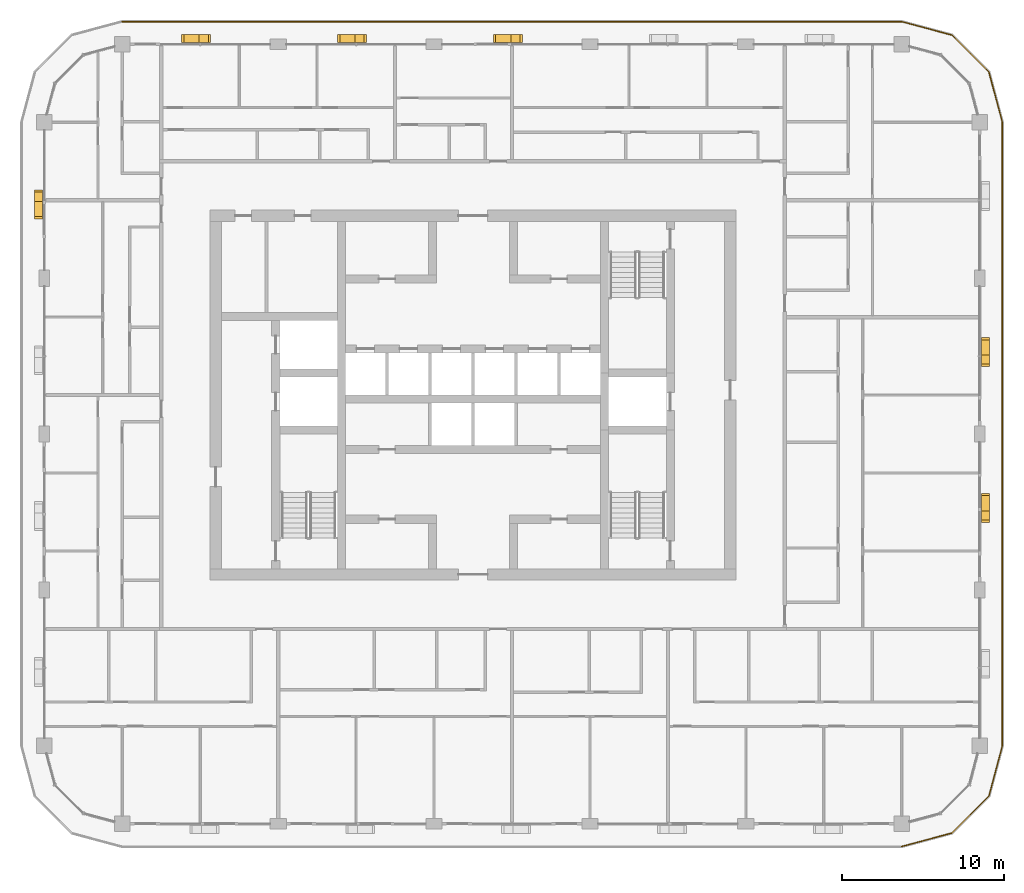
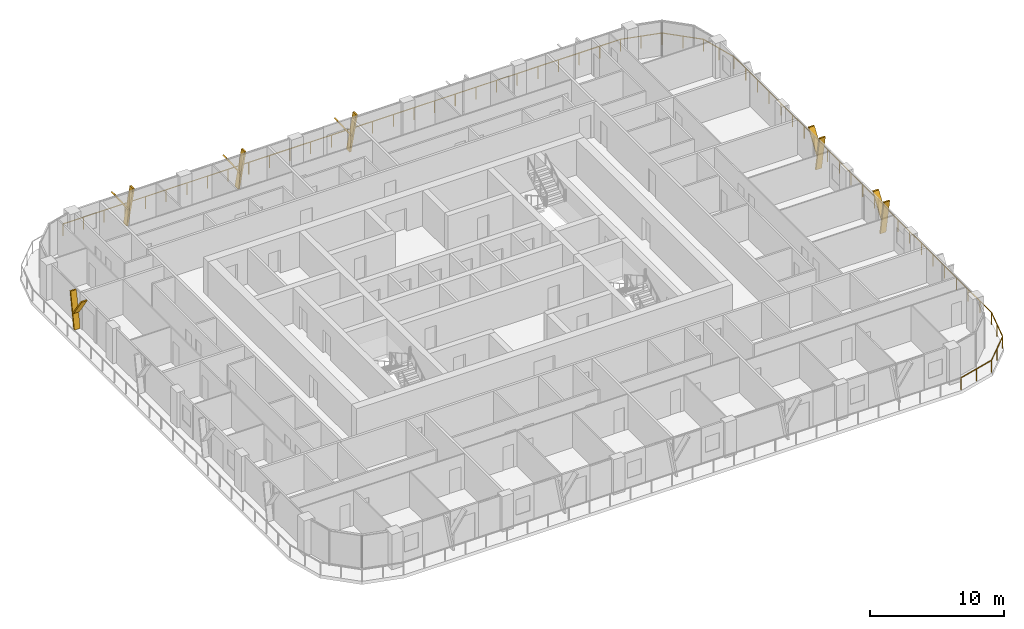
# One storey, part 20 of 21: 12 shading devices, 1 railing.
"""IFC4 building model written with IfcOpenShell, lengths in metres."""

from ifc_helpers import new_model, si_unit, direction, frame, origin, origin_2d, place, context, subcontext, project, spatial, polyline, circle, outline, extrude, material, type_object, element, save


model = new_model("IFC4")

# Units and contexts
model_context = context("Model", 3, precision=1e-05, world=origin(), true_north=direction((0.0, 1.0)))
body_context = subcontext(model_context, "Body", "Model", "MODEL_VIEW")
ifc_project = project(units=[si_unit("LENGTHUNIT", "METRE"), si_unit("AREAUNIT", "SQUARE_METRE"), si_unit("VOLUMEUNIT", "CUBIC_METRE"), si_unit("PLANEANGLEUNIT", "RADIAN"), si_unit("MASSUNIT", "GRAM", prefix="KILO")], contexts=[model_context])

# Site, building, storey
site_placement = place(None, origin())
site = spatial("IfcSite", under=ifc_project, at=site_placement, CompositionType="ELEMENT")
building_placement = place(site_placement, origin())
building = spatial("IfcBuilding", under=site, at=building_placement, Name="Madar Terraces", CompositionType="ELEMENT")
storey_placement = place(building_placement, frame((0.0, 0.0, 185.89990234375)))
storey = spatial("IfcBuildingStorey", under=building, at=storey_placement, Name="L48", CompositionType="ELEMENT", Elevation=185.89990234375)

# Railing
ifc_material_1 = material(Name="Glass, safety glazing, with stainless steel posts", Category="steel")
railing_type = type_object("IfcRailingType", Name="Balcony glass guard 1100", PredefinedType="GUARDRAIL", material=ifc_material_1)
railing_placement = place(storey_placement, frame((57.60009765625, -1.39990234375, 0.0)))
element("IfcRailing", 1, at=railing_placement, inside=storey, type_object=railing_type, Name="Balcony guard", PredefinedType="GUARDRAIL", context=body_context, shape_type="SweptSolid", body=[
    extrude(circle(Radius=0.02392578125, at=origin_2d()), frame((0.0, 0.0, 1.076171875), z_axis=(0.965928696102, 0.258808334578, 0.0), x_axis=(-0.258808334578, 0.965928696102, 0.0)), (0.0, 0.0, 1.0), 3.209228515625),
    extrude(circle(Radius=0.02392578125, at=origin_2d()), frame((3.099853515625, 0.83056640625, 1.076171875), z_axis=(0.707144815061, 0.707068745266, 0.0), x_axis=(-0.707068745266, 0.707144815061, 0.0)), (0.0, 0.0, 1.0), 3.20947265625),
    extrude(circle(Radius=0.02392578125, at=origin_2d()), frame((5.369384765625, 3.099853515625, 1.076171875), z_axis=(0.258789317819, 0.9659337912, 0.0), x_axis=(-0.9659337912, 0.258789317819, 0.0)), (0.0, 0.0, 1.0), 3.20947265625),
    extrude(circle(Radius=0.02392578125, at=origin_2d()), frame((6.199951171875, 6.199951171875, 1.076171875), z_axis=(0.0, 1.0, 0.0), x_axis=(-1.0, 0.0, 0.0)), (0.0, 0.0, 1.0), 38.39990234375),
    extrude(circle(Radius=0.02392578125, at=origin_2d()), frame((6.199951171875, 44.599853515625, 1.076171875), z_axis=(-0.258789317819, 0.9659337912, 0.0), x_axis=(-0.9659337912, -0.258789317819, 0.0)), (0.0, 0.0, 1.0), 3.20947265625),
    extrude(circle(Radius=0.02392578125, at=origin_2d()), frame((5.369384765625, 47.699951171875, 1.076171875), z_axis=(-0.707144815061, 0.707068745266, 0.0), x_axis=(-0.707068745266, -0.707144815061, 0.0)), (0.0, 0.0, 1.0), 3.20947265625),
    extrude(circle(Radius=0.02392578125, at=origin_2d()), frame((3.099853515625, 49.96923828125, 1.076171875), z_axis=(-0.965928696102, 0.258808334578, 0.0), x_axis=(-0.258808334578, -0.965928696102, 0.0)), (0.0, 0.0, 1.0), 3.209228515625),
    extrude(circle(Radius=0.02392578125, at=origin_2d()), frame((0.0, 50.7998046875, 1.076171875), z_axis=(-1.0, 0.0, 0.0), x_axis=(0.0, -1.0, 0.0)), (0.0, 0.0, 1.0), 48.0),
    extrude(circle(Radius=0.02099609375, at=origin_2d()), origin(), (0.0, 0.0, 1.0), 1.052001953125),
    extrude(circle(Radius=0.02099609375, at=origin_2d()), frame((1.5498046875, 0.415283203125, 0.0)), (0.0, 0.0, 1.0), 1.052001953125),
    extrude(circle(Radius=0.02099609375, at=origin_2d()), frame((3.099853515625, 0.83056640625, 0.0)), (0.0, 0.0, 1.0), 1.052001953125),
    extrude(circle(Radius=0.02099609375, at=origin_2d()), frame((4.234619140625, 1.96533203125, 0.0)), (0.0, 0.0, 1.0), 1.052001953125),
    extrude(circle(Radius=0.02099609375, at=origin_2d()), frame((5.369384765625, 3.099853515625, 0.0)), (0.0, 0.0, 1.0), 1.052001953125),
    extrude(circle(Radius=0.02099609375, at=origin_2d()), frame((5.78466796875, 4.64990234375, 0.0)), (0.0, 0.0, 1.0), 1.052001953125),
    extrude(circle(Radius=0.02099609375, at=origin_2d()), frame((6.199951171875, 6.199951171875, 0.0)), (0.0, 0.0, 1.0), 1.052001953125),
    extrude(circle(Radius=0.02099609375, at=origin_2d()), frame((6.199951171875, 7.9453125, 0.0)), (0.0, 0.0, 1.0), 1.052001953125),
    extrude(circle(Radius=0.02099609375, at=origin_2d()), frame((6.199951171875, 9.69091796875, 0.0)), (0.0, 0.0, 1.0), 1.052001953125),
    extrude(circle(Radius=0.02099609375, at=origin_2d()), frame((6.199951171875, 11.436279296875, 0.0)), (0.0, 0.0, 1.0), 1.052001953125),
    extrude(circle(Radius=0.02099609375, at=origin_2d()), frame((6.199951171875, 13.181640625, 0.0)), (0.0, 0.0, 1.0), 1.052001953125),
    extrude(circle(Radius=0.02099609375, at=origin_2d()), frame((6.199951171875, 14.92724609375, 0.0)), (0.0, 0.0, 1.0), 1.052001953125),
    extrude(circle(Radius=0.02099609375, at=origin_2d()), frame((6.199951171875, 16.672607421875, 0.0)), (0.0, 0.0, 1.0), 1.052001953125),
    extrude(circle(Radius=0.02099609375, at=origin_2d()), frame((6.199951171875, 18.418212890625, 0.0)), (0.0, 0.0, 1.0), 1.052001953125),
    extrude(circle(Radius=0.02099609375, at=origin_2d()), frame((6.199951171875, 20.16357421875, 0.0)), (0.0, 0.0, 1.0), 1.052001953125),
    extrude(circle(Radius=0.02099609375, at=origin_2d()), frame((6.199951171875, 21.908935546875, 0.0)), (0.0, 0.0, 1.0), 1.052001953125),
    extrude(circle(Radius=0.02099609375, at=origin_2d()), frame((6.199951171875, 23.654541015625, 0.0)), (0.0, 0.0, 1.0), 1.052001953125),
    extrude(circle(Radius=0.02099609375, at=origin_2d()), frame((6.199951171875, 25.39990234375, 0.0)), (0.0, 0.0, 1.0), 1.052001953125),
    extrude(circle(Radius=0.02099609375, at=origin_2d()), frame((6.199951171875, 27.145263671875, 0.0)), (0.0, 0.0, 1.0), 1.052001953125),
    extrude(circle(Radius=0.02099609375, at=origin_2d()), frame((6.199951171875, 28.890869140625, 0.0)), (0.0, 0.0, 1.0), 1.052001953125),
    extrude(circle(Radius=0.02099609375, at=origin_2d()), frame((6.199951171875, 30.63623046875, 0.0)), (0.0, 0.0, 1.0), 1.052001953125),
    extrude(circle(Radius=0.02099609375, at=origin_2d()), frame((6.199951171875, 32.381591796875, 0.0)), (0.0, 0.0, 1.0), 1.052001953125),
    extrude(circle(Radius=0.02099609375, at=origin_2d()), frame((6.199951171875, 34.127197265625, 0.0)), (0.0, 0.0, 1.0), 1.052001953125),
    extrude(circle(Radius=0.02099609375, at=origin_2d()), frame((6.199951171875, 35.87255859375, 0.0)), (0.0, 0.0, 1.0), 1.052001953125),
    extrude(circle(Radius=0.02099609375, at=origin_2d()), frame((6.199951171875, 37.6181640625, 0.0)), (0.0, 0.0, 1.0), 1.052001953125),
    extrude(circle(Radius=0.02099609375, at=origin_2d()), frame((6.199951171875, 39.363525390625, 0.0)), (0.0, 0.0, 1.0), 1.052001953125),
    extrude(circle(Radius=0.02099609375, at=origin_2d()), frame((6.199951171875, 41.10888671875, 0.0)), (0.0, 0.0, 1.0), 1.052001953125),
    extrude(circle(Radius=0.02099609375, at=origin_2d()), frame((6.199951171875, 42.8544921875, 0.0)), (0.0, 0.0, 1.0), 1.052001953125),
    extrude(circle(Radius=0.02099609375, at=origin_2d()), frame((6.199951171875, 44.599853515625, 0.0)), (0.0, 0.0, 1.0), 1.052001953125),
    extrude(circle(Radius=0.02099609375, at=origin_2d()), frame((5.78466796875, 46.14990234375, 0.0)), (0.0, 0.0, 1.0), 1.052001953125),
    extrude(circle(Radius=0.02099609375, at=origin_2d()), frame((5.369384765625, 47.699951171875, 0.0)), (0.0, 0.0, 1.0), 1.052001953125),
    extrude(circle(Radius=0.02099609375, at=origin_2d()), frame((4.234619140625, 48.83447265625, 0.0)), (0.0, 0.0, 1.0), 1.052001953125),
    extrude(circle(Radius=0.02099609375, at=origin_2d()), frame((3.099853515625, 49.96923828125, 0.0)), (0.0, 0.0, 1.0), 1.052001953125),
    extrude(circle(Radius=0.02099609375, at=origin_2d()), frame((1.5498046875, 50.384521484375, 0.0)), (0.0, 0.0, 1.0), 1.052001953125),
    extrude(circle(Radius=0.02099609375, at=origin_2d()), frame((0.0, 50.7998046875, 0.0)), (0.0, 0.0, 1.0), 1.052001953125),
    extrude(circle(Radius=0.02099609375, at=origin_2d()), frame((-1.77783203125, 50.7998046875, 0.0)), (0.0, 0.0, 1.0), 1.052001953125),
    extrude(circle(Radius=0.02099609375, at=origin_2d()), frame((-3.5556640625, 50.7998046875, 0.0)), (0.0, 0.0, 1.0), 1.052001953125),
    extrude(circle(Radius=0.02099609375, at=origin_2d()), frame((-5.333251953125, 50.7998046875, 0.0)), (0.0, 0.0, 1.0), 1.052001953125),
    extrude(circle(Radius=0.02099609375, at=origin_2d()), frame((-7.111083984375, 50.7998046875, 0.0)), (0.0, 0.0, 1.0), 1.052001953125),
    extrude(circle(Radius=0.02099609375, at=origin_2d()), frame((-8.888916015625, 50.7998046875, 0.0)), (0.0, 0.0, 1.0), 1.052001953125),
    extrude(circle(Radius=0.02099609375, at=origin_2d()), frame((-10.666748046875, 50.7998046875, 0.0)), (0.0, 0.0, 1.0), 1.052001953125),
    extrude(circle(Radius=0.02099609375, at=origin_2d()), frame((-12.4443359375, 50.7998046875, 0.0)), (0.0, 0.0, 1.0), 1.052001953125),
    extrude(circle(Radius=0.02099609375, at=origin_2d()), frame((-14.22216796875, 50.7998046875, 0.0)), (0.0, 0.0, 1.0), 1.052001953125),
    extrude(circle(Radius=0.02099609375, at=origin_2d()), frame((-16.0, 50.7998046875, 0.0)), (0.0, 0.0, 1.0), 1.052001953125),
    extrude(circle(Radius=0.02099609375, at=origin_2d()), frame((-17.77783203125, 50.7998046875, 0.0)), (0.0, 0.0, 1.0), 1.052001953125),
    extrude(circle(Radius=0.02099609375, at=origin_2d()), frame((-19.5556640625, 50.7998046875, 0.0)), (0.0, 0.0, 1.0), 1.052001953125),
    extrude(circle(Radius=0.02099609375, at=origin_2d()), frame((-21.333251953125, 50.7998046875, 0.0)), (0.0, 0.0, 1.0), 1.052001953125),
    extrude(circle(Radius=0.02099609375, at=origin_2d()), frame((-23.111083984375, 50.7998046875, 0.0)), (0.0, 0.0, 1.0), 1.052001953125),
    extrude(circle(Radius=0.02099609375, at=origin_2d()), frame((-24.888916015625, 50.7998046875, 0.0)), (0.0, 0.0, 1.0), 1.052001953125),
    extrude(circle(Radius=0.02099609375, at=origin_2d()), frame((-26.666748046875, 50.7998046875, 0.0)), (0.0, 0.0, 1.0), 1.052001953125),
    extrude(circle(Radius=0.02099609375, at=origin_2d()), frame((-28.4443359375, 50.7998046875, 0.0)), (0.0, 0.0, 1.0), 1.052001953125),
    extrude(circle(Radius=0.02099609375, at=origin_2d()), frame((-30.22216796875, 50.7998046875, 0.0)), (0.0, 0.0, 1.0), 1.052001953125),
    extrude(circle(Radius=0.02099609375, at=origin_2d()), frame((-32.0, 50.7998046875, 0.0)), (0.0, 0.0, 1.0), 1.052001953125),
    extrude(circle(Radius=0.02099609375, at=origin_2d()), frame((-33.77783203125, 50.7998046875, 0.0)), (0.0, 0.0, 1.0), 1.052001953125),
    extrude(circle(Radius=0.02099609375, at=origin_2d()), frame((-35.5556640625, 50.7998046875, 0.0)), (0.0, 0.0, 1.0), 1.052001953125),
    extrude(circle(Radius=0.02099609375, at=origin_2d()), frame((-37.333251953125, 50.7998046875, 0.0)), (0.0, 0.0, 1.0), 1.052001953125),
    extrude(circle(Radius=0.02099609375, at=origin_2d()), frame((-39.111083984375, 50.7998046875, 0.0)), (0.0, 0.0, 1.0), 1.052001953125),
    extrude(circle(Radius=0.02099609375, at=origin_2d()), frame((-40.888916015625, 50.7998046875, 0.0)), (0.0, 0.0, 1.0), 1.052001953125),
    extrude(circle(Radius=0.02099609375, at=origin_2d()), frame((-42.666748046875, 50.7998046875, 0.0)), (0.0, 0.0, 1.0), 1.052001953125),
    extrude(circle(Radius=0.02099609375, at=origin_2d()), frame((-44.4443359375, 50.7998046875, 0.0)), (0.0, 0.0, 1.0), 1.052001953125),
    extrude(circle(Radius=0.02099609375, at=origin_2d()), frame((-46.22216796875, 50.7998046875, 0.0)), (0.0, 0.0, 1.0), 1.052001953125),
    extrude(circle(Radius=0.02099609375, at=origin_2d()), frame((-48.0, 50.7998046875, 0.0)), (0.0, 0.0, 1.0), 1.052001953125),
])

# Shading devices
ifc_material_2 = material(Name="Aluminium, black anodised", Category="aluminium")
shading_device_type = type_object("IfcShadingDeviceType", Name="Facade fin blade 140 x 500", PredefinedType="USERDEFINED", material=ifc_material_2)
shading_device_1_placement = place(storey_placement, frame((62.75, 19.1298828125, 0.0), z_axis=(0.0, 0.0, 1.0), x_axis=(0.0, 1.0, 0.0)))
element("IfcShadingDevice", 2, at=shading_device_1_placement, inside=storey, type_object=shading_device_type, Name="FIN L48 E2", ObjectType="FIN", PredefinedType="USERDEFINED", context=body_context, shape_type="SweptSolid", body=[
    extrude(outline(polyline([(0.0, 0.0), (0.14013671875, 0.0), (-0.42431640625, 3.2001953125), (-0.564208984375, 3.2001953125), (0.0, 0.0)])), frame((0.0, 0.25, 0.0), z_axis=(0.0, -1.0, 0.0), x_axis=(1.0, 0.0, 0.0)), (0.0, 0.0, 1.0), 0.5),
])
shading_device_2_placement = place(storey_placement, frame((62.75, 19.01611328125, 1.440185546875), z_axis=(0.0, 0.0, 1.0), x_axis=(0.0, 1.0, 0.0)))
element("IfcShadingDevice", 3, at=shading_device_2_placement, inside=storey, type_object=shading_device_type, Name="FIN L48 E2 branch", ObjectType="FIN", PredefinedType="USERDEFINED", context=body_context, shape_type="SweptSolid", body=[
    extrude(outline(polyline([(0.0, 0.0), (0.139892578125, 0.0), (1.32958984375, 1.760009765625), (1.189697265625, 1.760009765625), (0.0, 0.0)])), frame((0.0, 0.25, 0.0), z_axis=(0.0, -1.0, 0.0), x_axis=(1.0, 0.0, 0.0)), (0.0, 0.0, 1.0), 0.5),
])
shading_device_3_placement = place(storey_placement, frame((62.75, 28.72998046875, 0.0), z_axis=(0.0, 0.0, 1.0), x_axis=(0.0, 1.0, 0.0)))
element("IfcShadingDevice", 4, at=shading_device_3_placement, inside=storey, type_object=shading_device_type, Name="FIN L48 E3", ObjectType="FIN", PredefinedType="USERDEFINED", context=body_context, shape_type="SweptSolid", body=[
    extrude(outline(polyline([(0.0, 0.0), (0.14013671875, 0.0), (-0.42431640625, 3.2001953125), (-0.564208984375, 3.2001953125), (0.0, 0.0)])), frame((0.0, 0.25, 0.0), z_axis=(0.0, -1.0, 0.0), x_axis=(1.0, 0.0, 0.0)), (0.0, 0.0, 1.0), 0.5),
])
shading_device_4_placement = place(storey_placement, frame((62.75, 28.6162109375, 1.440185546875), z_axis=(0.0, 0.0, 1.0), x_axis=(0.0, 1.0, 0.0)))
element("IfcShadingDevice", 5, at=shading_device_4_placement, inside=storey, type_object=shading_device_type, Name="FIN L48 E3 branch", ObjectType="FIN", PredefinedType="USERDEFINED", context=body_context, shape_type="SweptSolid", body=[
    extrude(outline(polyline([(0.0, 0.0), (0.139892578125, 0.0), (1.32958984375, 1.760009765625), (1.189697265625, 1.760009765625), (0.0, 0.0)])), frame((0.0, 0.25, 0.0), z_axis=(0.0, -1.0, 0.0), x_axis=(1.0, 0.0, 0.0)), (0.0, 0.0, 1.0), 0.5),
])
shading_device_5_placement = place(storey_placement, frame((33.669921875, 48.35009765625, 0.0), z_axis=(0.0, 0.0, 1.0), x_axis=(-1.0, 0.0, 0.0)))
element("IfcShadingDevice", 6, at=shading_device_5_placement, inside=storey, type_object=shading_device_type, Name="FIN L48 N3", ObjectType="FIN", PredefinedType="USERDEFINED", context=body_context, shape_type="SweptSolid", body=[
    extrude(outline(polyline([(0.0, 0.0), (0.139892578125, 0.0), (-0.42431640625, 3.2001953125), (-0.564208984375, 3.2001953125), (0.0, 0.0)])), frame((0.0, 0.25, 0.0), z_axis=(0.0, -1.0, 0.0), x_axis=(1.0, 0.0, 0.0)), (0.0, 0.0, 1.0), 0.5),
])
shading_device_6_placement = place(storey_placement, frame((33.783935546875, 48.35009765625, 1.440185546875), z_axis=(0.0, 0.0, 1.0), x_axis=(-1.0, 0.0, 0.0)))
element("IfcShadingDevice", 7, at=shading_device_6_placement, inside=storey, type_object=shading_device_type, Name="FIN L48 N3 branch", ObjectType="FIN", PredefinedType="USERDEFINED", context=body_context, shape_type="SweptSolid", body=[
    extrude(outline(polyline([(0.0, 0.0), (0.14013671875, 0.0), (1.32958984375, 1.760009765625), (1.189697265625, 1.760009765625), (0.0, 0.0)])), frame((0.0, 0.25, 0.0), z_axis=(0.0, -1.0, 0.0), x_axis=(1.0, 0.0, 0.0)), (0.0, 0.0, 1.0), 0.5),
])
shading_device_7_placement = place(storey_placement, frame((24.070068359375, 48.35009765625, 0.0), z_axis=(0.0, 0.0, 1.0), x_axis=(-1.0, 0.0, 0.0)))
element("IfcShadingDevice", 8, at=shading_device_7_placement, inside=storey, type_object=shading_device_type, Name="FIN L48 N4", ObjectType="FIN", PredefinedType="USERDEFINED", context=body_context, shape_type="SweptSolid", body=[
    extrude(outline(polyline([(0.0, 0.0), (0.14013671875, 0.0), (-0.42431640625, 3.2001953125), (-0.564208984375, 3.2001953125), (0.0, 0.0)])), frame((0.0, 0.25, 0.0), z_axis=(0.0, -1.0, 0.0), x_axis=(1.0, 0.0, 0.0)), (0.0, 0.0, 1.0), 0.5),
])
shading_device_8_placement = place(storey_placement, frame((24.183837890625, 48.35009765625, 1.440185546875), z_axis=(0.0, 0.0, 1.0), x_axis=(-1.0, 0.0, 0.0)))
element("IfcShadingDevice", 9, at=shading_device_8_placement, inside=storey, type_object=shading_device_type, Name="FIN L48 N4 branch", ObjectType="FIN", PredefinedType="USERDEFINED", context=body_context, shape_type="SweptSolid", body=[
    extrude(outline(polyline([(0.0, 0.0), (0.139892578125, 0.0), (1.32958984375, 1.760009765625), (1.189697265625, 1.760009765625), (0.0, 0.0)])), frame((0.0, 0.25, 0.0), z_axis=(0.0, -1.0, 0.0), x_axis=(1.0, 0.0, 0.0)), (0.0, 0.0, 1.0), 0.5),
])
shading_device_9_placement = place(storey_placement, frame((14.469970703125, 48.35009765625, 0.0), z_axis=(0.0, 0.0, 1.0), x_axis=(-1.0, 0.0, 0.0)))
element("IfcShadingDevice", 10, at=shading_device_9_placement, inside=storey, type_object=shading_device_type, Name="FIN L48 N5", ObjectType="FIN", PredefinedType="USERDEFINED", context=body_context, shape_type="SweptSolid", body=[
    extrude(outline(polyline([(0.0, 0.0), (0.139892578125, 0.0), (-0.42431640625, 3.2001953125), (-0.564208984375, 3.2001953125), (0.0, 0.0)])), frame((0.0, 0.25, 0.0), z_axis=(0.0, -1.0, 0.0), x_axis=(1.0, 0.0, 0.0)), (0.0, 0.0, 1.0), 0.5),
])
shading_device_10_placement = place(storey_placement, frame((14.583984375, 48.35009765625, 1.440185546875), z_axis=(0.0, 0.0, 1.0), x_axis=(-1.0, 0.0, 0.0)))
element("IfcShadingDevice", 11, at=shading_device_10_placement, inside=storey, type_object=shading_device_type, Name="FIN L48 N5 branch", ObjectType="FIN", PredefinedType="USERDEFINED", context=body_context, shape_type="SweptSolid", body=[
    extrude(outline(polyline([(0.0, 0.0), (0.14013671875, 0.0), (1.32958984375, 1.760009765625), (1.189697265625, 1.760009765625), (0.0, 0.0)])), frame((0.0, 0.25, 0.0), z_axis=(0.0, -1.0, 0.0), x_axis=(1.0, 0.0, 0.0)), (0.0, 0.0, 1.0), 0.5),
])
shading_device_11_placement = place(storey_placement, frame((4.449951171875, 38.469970703125, 0.0), z_axis=(0.0, 0.0, 1.0), x_axis=(0.0, -1.0, 0.0)))
element("IfcShadingDevice", 12, at=shading_device_11_placement, inside=storey, type_object=shading_device_type, Name="FIN L48 W1", ObjectType="FIN", PredefinedType="USERDEFINED", context=body_context, shape_type="SweptSolid", body=[
    extrude(outline(polyline([(0.0, 0.0), (0.139892578125, 0.0), (-0.42431640625, 3.2001953125), (-0.564208984375, 3.2001953125), (0.0, 0.0)])), frame((0.0, 0.25, 0.0), z_axis=(0.0, -1.0, 0.0), x_axis=(1.0, 0.0, 0.0)), (0.0, 0.0, 1.0), 0.5),
])
shading_device_12_placement = place(storey_placement, frame((4.449951171875, 38.583984375, 1.440185546875), z_axis=(0.0, 0.0, 1.0), x_axis=(0.0, -1.0, 0.0)))
element("IfcShadingDevice", 13, at=shading_device_12_placement, inside=storey, type_object=shading_device_type, Name="FIN L48 W1 branch", ObjectType="FIN", PredefinedType="USERDEFINED", context=body_context, shape_type="SweptSolid", body=[
    extrude(outline(polyline([(0.0, 0.0), (0.14013671875, 0.0), (1.32958984375, 1.760009765625), (1.189697265625, 1.760009765625), (0.0, 0.0)])), frame((0.0, 0.25, 0.0), z_axis=(0.0, -1.0, 0.0), x_axis=(1.0, 0.0, 0.0)), (0.0, 0.0, 1.0), 0.5),
])

save(model, "model.ifc")
